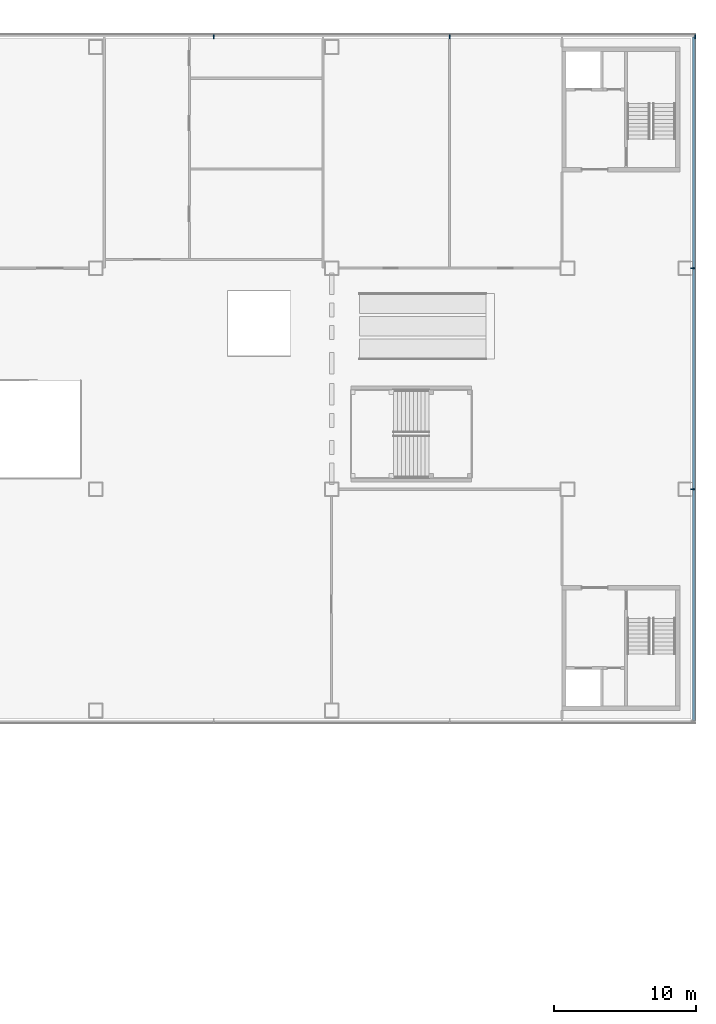
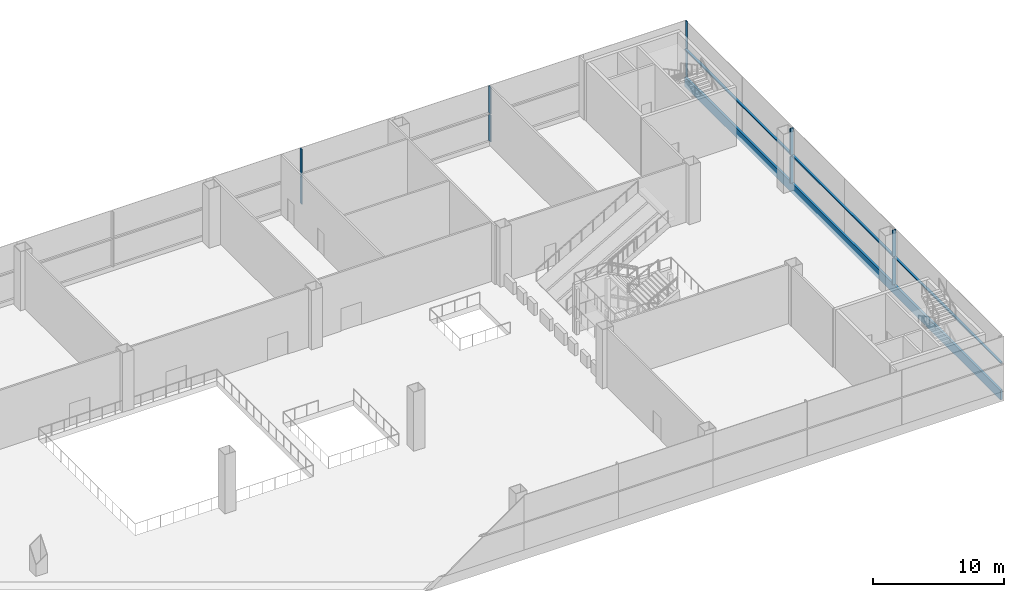
# One storey, part 25 of 100: 12 members, 2 elements without a shape of their own.
"""IFC4 building model written with IfcOpenShell, lengths in metres."""

from ifc_helpers import new_model, si_unit, direction, frame, origin, origin_2d, place, context, subcontext, project, spatial, rectangle, extrude, material, layer, layer_set, material_profile, profile_set, type_object, element, aggregate, save


model = new_model("IFC4")

# Units and contexts
model_context = context("Model", 3, precision=1e-05, world=origin(), true_north=direction((0.0, 1.0)))
body_context = subcontext(model_context, "Body", "Model", "MODEL_VIEW")
ifc_project = project(units=[si_unit("LENGTHUNIT", "METRE"), si_unit("AREAUNIT", "SQUARE_METRE"), si_unit("VOLUMEUNIT", "CUBIC_METRE"), si_unit("PLANEANGLEUNIT", "RADIAN"), si_unit("MASSUNIT", "GRAM", prefix="KILO")], contexts=[model_context])

# Site, building, storey
site_placement = place(None, origin())
site = spatial("IfcSite", under=ifc_project, at=site_placement, CompositionType="ELEMENT")
building_placement = place(site_placement, origin())
building = spatial("IfcBuilding", under=site, at=building_placement, Name="Hakoniwa Tower and Hamabe Station Hall", CompositionType="ELEMENT")
storey_placement = place(building_placement, frame((0.0, 0.0, 9.0)))
storey = spatial("IfcBuildingStorey", under=building, at=storey_placement, Name="L02", CompositionType="ELEMENT", Elevation=9.0)

# Curtain wall, members
ifc_material_1 = material(Name="Dark low-e laminated glass", Category="glass")
ifc_layer = layer(ifc_material_1, 0.199951171875)
ifc_layer_set = layer_set([ifc_layer], Name="CW-7 STATION")
curtain_wall_type = type_object("IfcCurtainWallType", Name="CW-7 STATION", PredefinedType="NOTDEFINED", material=ifc_layer_set)
curtain_wall_1_placement = place(storey_placement, origin())
curtain_wall_1 = element("IfcCurtainWall", 1, at=curtain_wall_1_placement, inside=storey, type_object=curtain_wall_type, Name="Station curtain wall L02 east", PredefinedType="NOTDEFINED")
ifc_material_2 = material(Name="Aluminium 6063-T5 black anodised", Category="aluminium")
ifc_material_profile_1 = material_profile(ifc_material_2, rectangle(XDim=0.199951171875, YDim=0.1201171875, at=origin_2d()), Name="CW MID TRANSOM 120X200")
ifc_profile_set_1 = profile_set([ifc_material_profile_1], Name="Aluminium 6063-T5 black anodised")
member_type_1 = type_object("IfcMemberType", Name="CW MID TRANSOM 120X200", PredefinedType="USERDEFINED", material=ifc_profile_set_1)
member_1_placement = place(storey_placement, frame((169.75, -24.10009765625, 2.89990234375), z_axis=(0.0, 1.0, 0.0), x_axis=(-1.0, 0.0, 0.0)))
member_1 = element("IfcMember", 2, at=member_1_placement, type_object=member_type_1, Name="CW-7 transom", ObjectType="TRANSOM", PredefinedType="USERDEFINED", context=body_context, shape_type="SweptSolid", body=[
    extrude(rectangle(XDim=0.199951171875, YDim=0.1201171875, at=origin_2d()), origin(), (0.0, 0.0, 1.0), 48.2001953125),
])
ifc_material_3 = material(Name="Aluminium 6063-T5 black anodised", Category="aluminium")
ifc_material_profile_2 = material_profile(ifc_material_3, rectangle(XDim=0.199951171875, YDim=0.89990234375, at=origin_2d()), Name="CW SLAB-EDGE BAND 900X200")
ifc_profile_set_2 = profile_set([ifc_material_profile_2], Name="Aluminium 6063-T5 black anodised")
member_type_2 = type_object("IfcMemberType", Name="CW SLAB-EDGE BAND 900X200", PredefinedType="USERDEFINED", material=ifc_profile_set_2)
member_2_placement = place(storey_placement, frame((169.75, -24.10009765625, -0.10009765625), z_axis=(0.0, 1.0, 0.0), x_axis=(-1.0, 0.0, 0.0)))
member_2 = element("IfcMember", 3, at=member_2_placement, type_object=member_type_2, Name="CW-7 transom", ObjectType="TRANSOM", PredefinedType="USERDEFINED", context=body_context, shape_type="SweptSolid", body=[
    extrude(rectangle(XDim=0.199951171875, YDim=0.89990234375, at=origin_2d()), origin(), (0.0, 0.0, 1.0), 48.2001953125),
])
ifc_material_4 = material(Name="Aluminium 6063-T5 black anodised", Category="aluminium")
ifc_material_profile_3 = material_profile(ifc_material_4, rectangle(XDim=0.080078125, YDim=0.300048828125, at=origin_2d()), Name="CW-3 MULLION 80X300")
ifc_profile_set_3 = profile_set([ifc_material_profile_3], Name="Aluminium 6063-T5 black anodised")
member_type_3 = type_object("IfcMemberType", Name="CW-3 MULLION 80X300", PredefinedType="MULLION", material=ifc_profile_set_3)
member_3_placement = place(storey_placement, frame((169.672119140625, -7.800048828125, 0.35009765625), z_axis=(0.0, 0.0, 1.0), x_axis=(0.0, 1.0, 0.0)))
member_3 = element("IfcMember", 4, at=member_3_placement, type_object=member_type_3, Name="CW-7 mullion", PredefinedType="MULLION", context=body_context, shape_type="SweptSolid", body=[
    extrude(rectangle(XDim=0.080078125, YDim=0.300048828125, at=origin_2d()), origin(), (0.0, 0.0, 1.0), 2.489990234375),
])
member_4_placement = place(storey_placement, frame((169.672119140625, -7.800048828125, 2.9599609375), z_axis=(0.0, 0.0, 1.0), x_axis=(0.0, 1.0, 0.0)))
member_4 = element("IfcMember", 5, at=member_4_placement, type_object=member_type_3, Name="CW-7 mullion", PredefinedType="MULLION", context=body_context, shape_type="SweptSolid", body=[
    extrude(rectangle(XDim=0.080078125, YDim=0.300048828125, at=origin_2d()), origin(), (0.0, 0.0, 1.0), 2.489990234375),
])
member_5_placement = place(storey_placement, frame((169.672119140625, 7.800048828125, 0.35009765625), z_axis=(0.0, 0.0, 1.0), x_axis=(0.0, 1.0, 0.0)))
member_5 = element("IfcMember", 6, at=member_5_placement, type_object=member_type_3, Name="CW-7 mullion", PredefinedType="MULLION", context=body_context, shape_type="SweptSolid", body=[
    extrude(rectangle(XDim=0.080078125, YDim=0.300048828125, at=origin_2d()), origin(), (0.0, 0.0, 1.0), 2.489990234375),
])
member_6_placement = place(storey_placement, frame((169.672119140625, 7.800048828125, 2.9599609375), z_axis=(0.0, 0.0, 1.0), x_axis=(0.0, 1.0, 0.0)))
member_6 = element("IfcMember", 7, at=member_6_placement, type_object=member_type_3, Name="CW-7 mullion", PredefinedType="MULLION", context=body_context, shape_type="SweptSolid", body=[
    extrude(rectangle(XDim=0.080078125, YDim=0.300048828125, at=origin_2d()), origin(), (0.0, 0.0, 1.0), 2.489990234375),
])
aggregate(curtain_wall_1, [member_3, member_4, member_5, member_6, member_2, member_1])

curtain_wall_2_placement = place(storey_placement, origin())
curtain_wall_2 = element("IfcCurtainWall", 8, at=curtain_wall_2_placement, inside=storey, type_object=curtain_wall_type, Name="Station curtain wall L02 north", PredefinedType="NOTDEFINED")
member_7_placement = place(storey_placement, frame((169.85009765625, 24.1220703125, 0.35009765625), z_axis=(0.0, 0.0, 1.0), x_axis=(-1.0, 0.0, 0.0)))
member_7 = element("IfcMember", 9, at=member_7_placement, type_object=member_type_3, Name="CW-7 mullion", PredefinedType="MULLION", context=body_context, shape_type="SweptSolid", body=[
    extrude(rectangle(XDim=0.080078125, YDim=0.300048828125, at=origin_2d()), origin(), (0.0, 0.0, 1.0), 2.489990234375),
])
member_8_placement = place(storey_placement, frame((169.85009765625, 24.1220703125, 2.9599609375), z_axis=(0.0, 0.0, 1.0), x_axis=(-1.0, 0.0, 0.0)))
member_8 = element("IfcMember", 10, at=member_8_placement, type_object=member_type_3, Name="CW-7 mullion", PredefinedType="MULLION", context=body_context, shape_type="SweptSolid", body=[
    extrude(rectangle(XDim=0.080078125, YDim=0.300048828125, at=origin_2d()), origin(), (0.0, 0.0, 1.0), 2.489990234375),
])
member_9_placement = place(storey_placement, frame((152.510009765625, 24.1220703125, 0.35009765625), z_axis=(0.0, 0.0, 1.0), x_axis=(-1.0, 0.0, 0.0)))
member_9 = element("IfcMember", 11, at=member_9_placement, type_object=member_type_3, Name="CW-7 mullion", PredefinedType="MULLION", context=body_context, shape_type="SweptSolid", body=[
    extrude(rectangle(XDim=0.080078125, YDim=0.300048828125, at=origin_2d()), origin(), (0.0, 0.0, 1.0), 2.489990234375),
])
member_10_placement = place(storey_placement, frame((152.510009765625, 24.1220703125, 2.9599609375), z_axis=(0.0, 0.0, 1.0), x_axis=(-1.0, 0.0, 0.0)))
member_10 = element("IfcMember", 12, at=member_10_placement, type_object=member_type_3, Name="CW-7 mullion", PredefinedType="MULLION", context=body_context, shape_type="SweptSolid", body=[
    extrude(rectangle(XDim=0.080078125, YDim=0.300048828125, at=origin_2d()), origin(), (0.0, 0.0, 1.0), 2.489990234375),
])
member_11_placement = place(storey_placement, frame((135.8701171875, 24.1220703125, 0.35009765625), z_axis=(0.0, 0.0, 1.0), x_axis=(-1.0, 0.0, 0.0)))
member_11 = element("IfcMember", 13, at=member_11_placement, type_object=member_type_3, Name="CW-7 mullion", PredefinedType="MULLION", context=body_context, shape_type="SweptSolid", body=[
    extrude(rectangle(XDim=0.080078125, YDim=0.300048828125, at=origin_2d()), origin(), (0.0, 0.0, 1.0), 2.489990234375),
])
member_12_placement = place(storey_placement, frame((135.8701171875, 24.1220703125, 2.9599609375), z_axis=(0.0, 0.0, 1.0), x_axis=(-1.0, 0.0, 0.0)))
member_12 = element("IfcMember", 14, at=member_12_placement, type_object=member_type_3, Name="CW-7 mullion", PredefinedType="MULLION", context=body_context, shape_type="SweptSolid", body=[
    extrude(rectangle(XDim=0.080078125, YDim=0.300048828125, at=origin_2d()), origin(), (0.0, 0.0, 1.0), 2.489990234375),
])
aggregate(curtain_wall_2, [member_7, member_8, member_9, member_10, member_11, member_12])

save(model, "model.ifc")
